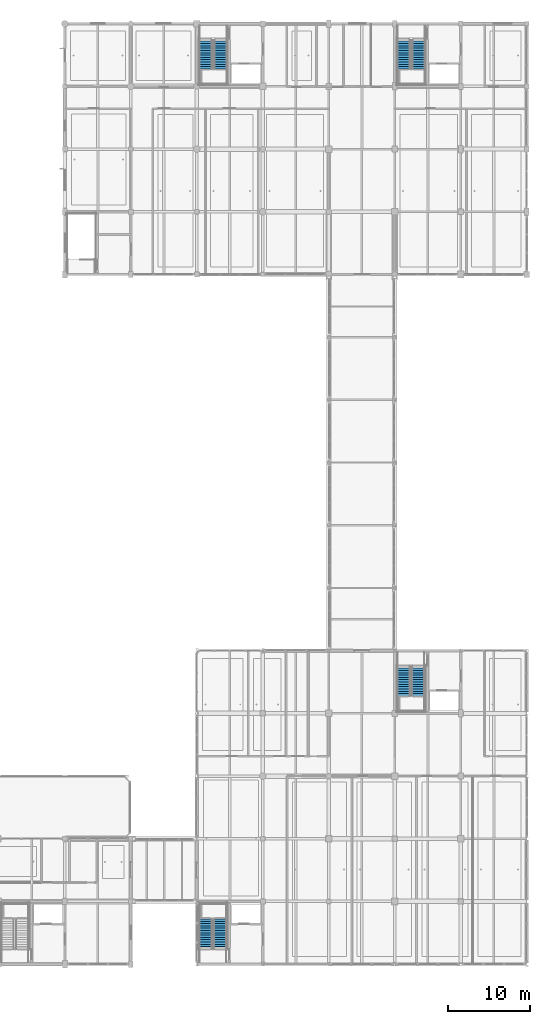
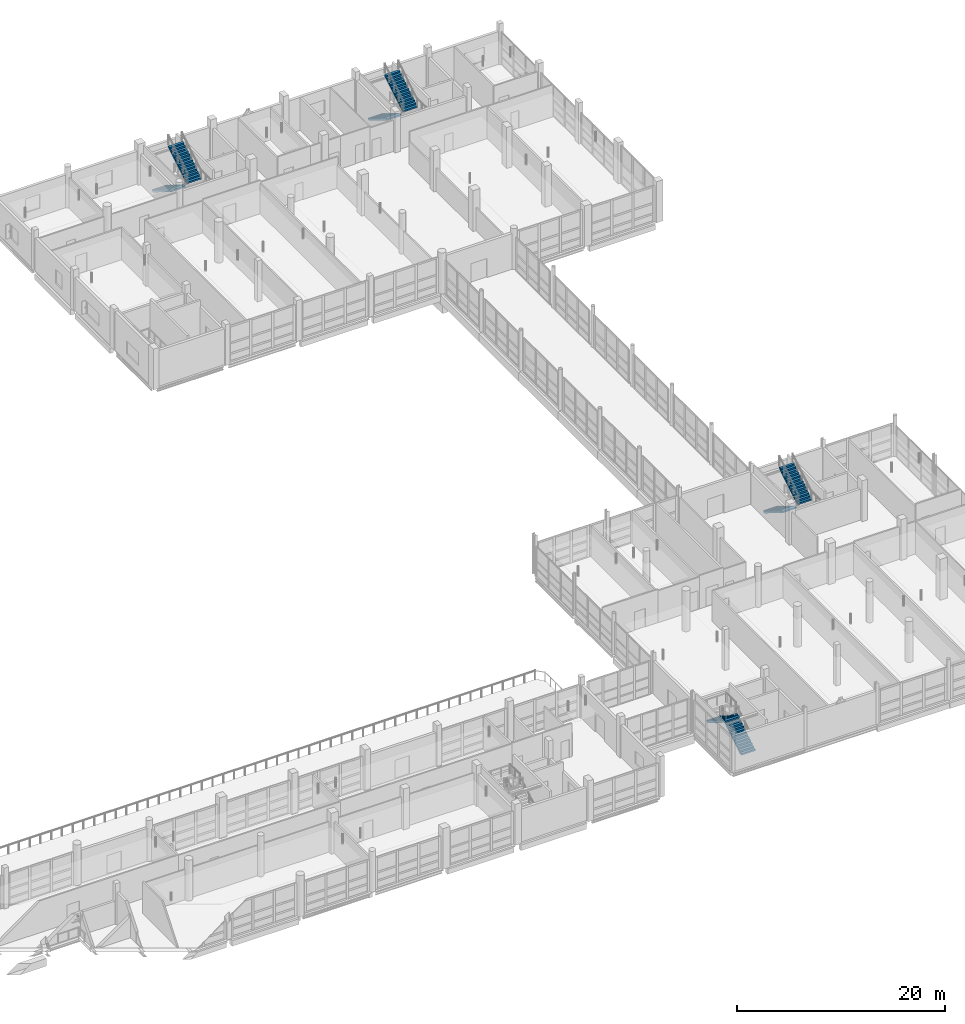
# One storey, part 97 of 147: 8 stair flights, 4 elements without a shape of their own.
"""IFC4 building model written with IfcOpenShell, lengths in metres."""

from ifc_helpers import new_model, si_unit, direction, frame, origin, place, context, subcontext, project, spatial, polyline, outline, extrude, material, type_object, element, aggregate, save


model = new_model("IFC4")

# Units and contexts
model_context = context("Model", 3, precision=1e-05, world=origin(), true_north=direction((0.0, 1.0)))
body_context = subcontext(model_context, "Body", "Model", "MODEL_VIEW")
ifc_project = project(units=[si_unit("LENGTHUNIT", "METRE"), si_unit("AREAUNIT", "SQUARE_METRE"), si_unit("VOLUMEUNIT", "CUBIC_METRE"), si_unit("PLANEANGLEUNIT", "RADIAN"), si_unit("MASSUNIT", "GRAM", prefix="KILO")], contexts=[model_context])

# Site, building, storey
site_placement = place(None, origin())
site = spatial("IfcSite", under=ifc_project, at=site_placement, CompositionType="ELEMENT")
building_placement = place(site_placement, origin())
building = spatial("IfcBuilding", under=site, at=building_placement, Name="Khelvaren Railside Concert Hall", CompositionType="ELEMENT")
storey_placement = place(building_placement, frame((0.0, 0.0, 5.39990234375)))
storey = spatial("IfcBuildingStorey", under=building, at=storey_placement, Name="L01", CompositionType="ELEMENT", Elevation=5.39990234375)

# Stair, stair flights
ifc_material = material(Name="Concrete C40/50", Category="concrete")
stair_type_1 = type_object("IfcStairType", Name="ST52", PredefinedType="HALF_TURN_STAIR", material=ifc_material)
stair_1_placement = place(storey_placement, origin())
stair_1 = element("IfcStair", 1, at=stair_1_placement, inside=storey, type_object=stair_type_1, Name="L01 Core Exit Stair ST-09", PredefinedType="HALF_TURN_STAIR")
stair_flight_type_1 = type_object("IfcStairFlightType", Name="STF21", PredefinedType="STRAIGHT", material=ifc_material)
stair_flight_1_placement = place(storey_placement, frame((145.10009765625, 112.159912109375, 0.0), z_axis=(0.0, 0.0, 1.0), x_axis=(0.0, -1.0, 0.0)))
stair_flight_1 = element("IfcStairFlight", 2, at=stair_flight_1_placement, type_object=stair_flight_type_1, Name="ST-09 flight 1", NumberOfRisers=14, NumberOfTreads=13, PredefinedType="STRAIGHT", RiserHeight=0.171428571, TreadLength=0.28, context=body_context, shape_type="SweptSolid", body=[
    extrude(outline(polyline([(0.0, 0.0), (0.0, 0.17138671875), (0.280029296875, 0.17138671875), (0.280029296875, 0.3427734375), (0.56005859375, 0.3427734375), (0.56005859375, 0.514404296875), (0.840087890625, 0.514404296875), (0.840087890625, 0.685791015625), (1.1201171875, 0.685791015625), (1.1201171875, 0.857177734375), (1.39990234375, 0.857177734375), (1.39990234375, 1.028564453125), (1.679931640625, 1.028564453125), (1.679931640625, 1.199951171875), (1.9599609375, 1.199951171875), (1.9599609375, 1.371337890625), (2.239990234375, 1.371337890625), (2.239990234375, 1.54296875), (2.52001953125, 1.54296875), (2.52001953125, 1.71435546875), (2.800048828125, 1.71435546875), (2.800048828125, 1.8857421875), (3.080078125, 1.8857421875), (3.080078125, 2.05712890625), (3.360107421875, 2.05712890625), (3.360107421875, 2.228515625), (3.639892578125, 2.228515625), (3.639892578125, 2.39990234375), (3.639892578125, 2.052734375), (0.287109375, 0.0), (0.0, 0.0)])), frame((0.0, 0.800048828125, 0.0), z_axis=(0.0, -1.0, 0.0), x_axis=(1.0, 0.0, 0.0)), (0.0, 0.0, 1.0), 1.60009765625),
])
stair_flight_2_placement = place(storey_placement, frame((146.89990234375, 108.52001953125, 2.400146484375), z_axis=(0.0, 0.0, 1.0), x_axis=(0.0, 1.0, 0.0)))
stair_flight_2 = element("IfcStairFlight", 3, at=stair_flight_2_placement, type_object=stair_flight_type_1, Name="ST-09 flight 2", NumberOfRisers=14, NumberOfTreads=13, PredefinedType="STRAIGHT", RiserHeight=0.171428571, TreadLength=0.28, context=body_context, shape_type="SweptSolid", body=[
    extrude(outline(polyline([(0.0, 0.0), (0.0, 0.17138671875), (0.280029296875, 0.17138671875), (0.280029296875, 0.3427734375), (0.56005859375, 0.3427734375), (0.56005859375, 0.514404296875), (0.840087890625, 0.514404296875), (0.840087890625, 0.685791015625), (1.1201171875, 0.685791015625), (1.1201171875, 0.857177734375), (1.39990234375, 0.857177734375), (1.39990234375, 1.028564453125), (1.679931640625, 1.028564453125), (1.679931640625, 1.199951171875), (1.9599609375, 1.199951171875), (1.9599609375, 1.371337890625), (2.239990234375, 1.371337890625), (2.239990234375, 1.54296875), (2.52001953125, 1.54296875), (2.52001953125, 1.71435546875), (2.800048828125, 1.71435546875), (2.800048828125, 1.8857421875), (3.080078125, 1.8857421875), (3.080078125, 2.05712890625), (3.360107421875, 2.05712890625), (3.360107421875, 2.228515625), (3.639892578125, 2.228515625), (3.639892578125, 2.39990234375), (3.639892578125, 2.052734375), (0.287109375, 0.0), (0.0, 0.0)])), frame((0.0, 0.800048828125, 0.0), z_axis=(0.0, -1.0, 0.0), x_axis=(1.0, 0.0, 0.0)), (0.0, 0.0, 1.0), 1.60009765625),
])
aggregate(stair_1, [stair_flight_1, stair_flight_2])

stair_2_placement = place(storey_placement, origin())
stair_2 = element("IfcStair", 4, at=stair_2_placement, inside=storey, type_object=stair_type_1, Name="L01 Core Exit Stair ST-10", PredefinedType="HALF_TURN_STAIR")
stair_flight_3_placement = place(storey_placement, frame((169.10009765625, 112.159912109375, 0.0), z_axis=(0.0, 0.0, 1.0), x_axis=(0.0, -1.0, 0.0)))
stair_flight_3 = element("IfcStairFlight", 5, at=stair_flight_3_placement, type_object=stair_flight_type_1, Name="ST-10 flight 1", NumberOfRisers=14, NumberOfTreads=13, PredefinedType="STRAIGHT", RiserHeight=0.171428571, TreadLength=0.28, context=body_context, shape_type="SweptSolid", body=[
    extrude(outline(polyline([(0.0, 0.0), (0.0, 0.17138671875), (0.280029296875, 0.17138671875), (0.280029296875, 0.3427734375), (0.56005859375, 0.3427734375), (0.56005859375, 0.514404296875), (0.840087890625, 0.514404296875), (0.840087890625, 0.685791015625), (1.1201171875, 0.685791015625), (1.1201171875, 0.857177734375), (1.39990234375, 0.857177734375), (1.39990234375, 1.028564453125), (1.679931640625, 1.028564453125), (1.679931640625, 1.199951171875), (1.9599609375, 1.199951171875), (1.9599609375, 1.371337890625), (2.239990234375, 1.371337890625), (2.239990234375, 1.54296875), (2.52001953125, 1.54296875), (2.52001953125, 1.71435546875), (2.800048828125, 1.71435546875), (2.800048828125, 1.8857421875), (3.080078125, 1.8857421875), (3.080078125, 2.05712890625), (3.360107421875, 2.05712890625), (3.360107421875, 2.228515625), (3.639892578125, 2.228515625), (3.639892578125, 2.39990234375), (3.639892578125, 2.052734375), (0.287109375, 0.0), (0.0, 0.0)])), frame((0.0, 0.800048828125, 0.0), z_axis=(0.0, -1.0, 0.0), x_axis=(1.0, 0.0, 0.0)), (0.0, 0.0, 1.0), 1.60009765625),
])
stair_flight_4_placement = place(storey_placement, frame((170.89990234375, 108.52001953125, 2.400146484375), z_axis=(0.0, 0.0, 1.0), x_axis=(0.0, 1.0, 0.0)))
stair_flight_4 = element("IfcStairFlight", 6, at=stair_flight_4_placement, type_object=stair_flight_type_1, Name="ST-10 flight 2", NumberOfRisers=14, NumberOfTreads=13, PredefinedType="STRAIGHT", RiserHeight=0.171428571, TreadLength=0.28, context=body_context, shape_type="SweptSolid", body=[
    extrude(outline(polyline([(0.0, 0.0), (0.0, 0.17138671875), (0.280029296875, 0.17138671875), (0.280029296875, 0.3427734375), (0.56005859375, 0.3427734375), (0.56005859375, 0.514404296875), (0.840087890625, 0.514404296875), (0.840087890625, 0.685791015625), (1.1201171875, 0.685791015625), (1.1201171875, 0.857177734375), (1.39990234375, 0.857177734375), (1.39990234375, 1.028564453125), (1.679931640625, 1.028564453125), (1.679931640625, 1.199951171875), (1.9599609375, 1.199951171875), (1.9599609375, 1.371337890625), (2.239990234375, 1.371337890625), (2.239990234375, 1.54296875), (2.52001953125, 1.54296875), (2.52001953125, 1.71435546875), (2.800048828125, 1.71435546875), (2.800048828125, 1.8857421875), (3.080078125, 1.8857421875), (3.080078125, 2.05712890625), (3.360107421875, 2.05712890625), (3.360107421875, 2.228515625), (3.639892578125, 2.228515625), (3.639892578125, 2.39990234375), (3.639892578125, 2.052734375), (0.287109375, 0.0), (0.0, 0.0)])), frame((0.0, 0.800048828125, 0.0), z_axis=(0.0, -1.0, 0.0), x_axis=(1.0, 0.0, 0.0)), (0.0, 0.0, 1.0), 1.60009765625),
])
aggregate(stair_2, [stair_flight_3, stair_flight_4])

stair_type_2 = type_object("IfcStairType", Name="ST70", PredefinedType="HALF_TURN_STAIR", material=ifc_material)
stair_3_placement = place(storey_placement, origin())
stair_3 = element("IfcStair", 7, at=stair_3_placement, inside=storey, type_object=stair_type_2, Name="L01 Core Exit Stair ST-03", PredefinedType="HALF_TURN_STAIR")
stair_flight_type_2 = type_object("IfcStairFlightType", Name="STF24", PredefinedType="STRAIGHT", material=ifc_material)
stair_flight_5_placement = place(storey_placement, frame((146.840087890625, 1.840087890625, 0.0), z_axis=(0.0, 0.0, 1.0), x_axis=(0.0, 1.0, 0.0)))
stair_flight_5 = element("IfcStairFlight", 8, at=stair_flight_5_placement, type_object=stair_flight_type_2, Name="ST-03 flight 1", NumberOfRisers=14, NumberOfTreads=13, PredefinedType="STRAIGHT", RiserHeight=0.171428571, TreadLength=0.28, context=body_context, shape_type="SweptSolid", body=[
    extrude(outline(polyline([(0.0, 0.0), (0.0, 0.17138671875), (0.280029296875, 0.17138671875), (0.280029296875, 0.3427734375), (0.56005859375, 0.3427734375), (0.56005859375, 0.514404296875), (0.840087890625, 0.514404296875), (0.840087890625, 0.685791015625), (1.1201171875, 0.685791015625), (1.1201171875, 0.857177734375), (1.39990234375, 0.857177734375), (1.39990234375, 1.028564453125), (1.679931640625, 1.028564453125), (1.679931640625, 1.199951171875), (1.9599609375, 1.199951171875), (1.9599609375, 1.371337890625), (2.239990234375, 1.371337890625), (2.239990234375, 1.54296875), (2.52001953125, 1.54296875), (2.52001953125, 1.71435546875), (2.800048828125, 1.71435546875), (2.800048828125, 1.8857421875), (3.080078125, 1.8857421875), (3.080078125, 2.05712890625), (3.360107421875, 2.05712890625), (3.360107421875, 2.228515625), (3.639892578125, 2.228515625), (3.639892578125, 2.39990234375), (3.639892578125, 2.052734375), (0.287109375, 0.0), (0.0, 0.0)])), frame((0.0, 0.780029296875, 0.0), z_axis=(0.0, -1.0, 0.0), x_axis=(1.0, 0.0, 0.0)), (0.0, 0.0, 1.0), 1.56005859375),
])
stair_flight_6_placement = place(storey_placement, frame((145.080078125, 5.47998046875, 2.400146484375), z_axis=(0.0, 0.0, 1.0), x_axis=(0.0, -1.0, 0.0)))
stair_flight_6 = element("IfcStairFlight", 9, at=stair_flight_6_placement, type_object=stair_flight_type_2, Name="ST-03 flight 2", NumberOfRisers=14, NumberOfTreads=13, PredefinedType="STRAIGHT", RiserHeight=0.171428571, TreadLength=0.28, context=body_context, shape_type="SweptSolid", body=[
    extrude(outline(polyline([(0.0, 0.0), (0.0, 0.17138671875), (0.280029296875, 0.17138671875), (0.280029296875, 0.3427734375), (0.56005859375, 0.3427734375), (0.56005859375, 0.514404296875), (0.840087890625, 0.514404296875), (0.840087890625, 0.685791015625), (1.1201171875, 0.685791015625), (1.1201171875, 0.857177734375), (1.39990234375, 0.857177734375), (1.39990234375, 1.028564453125), (1.679931640625, 1.028564453125), (1.679931640625, 1.199951171875), (1.9599609375, 1.199951171875), (1.9599609375, 1.371337890625), (2.239990234375, 1.371337890625), (2.239990234375, 1.54296875), (2.52001953125, 1.54296875), (2.52001953125, 1.71435546875), (2.800048828125, 1.71435546875), (2.800048828125, 1.8857421875), (3.080078125, 1.8857421875), (3.080078125, 2.05712890625), (3.360107421875, 2.05712890625), (3.360107421875, 2.228515625), (3.639892578125, 2.228515625), (3.639892578125, 2.39990234375), (3.639892578125, 2.052734375), (0.287109375, 0.0), (0.0, 0.0)])), frame((0.0, 0.780029296875, 0.0), z_axis=(0.0, -1.0, 0.0), x_axis=(1.0, 0.0, 0.0)), (0.0, 0.0, 1.0), 1.56005859375),
])
aggregate(stair_3, [stair_flight_5, stair_flight_6])

stair_4_placement = place(storey_placement, origin())
stair_4 = element("IfcStair", 10, at=stair_4_placement, inside=storey, type_object=stair_type_2, Name="L01 Core Exit Stair ST-04", PredefinedType="HALF_TURN_STAIR")
stair_flight_7_placement = place(storey_placement, frame((169.080078125, 36.159912109375, 0.0), z_axis=(0.0, 0.0, 1.0), x_axis=(0.0, -1.0, 0.0)))
stair_flight_7 = element("IfcStairFlight", 11, at=stair_flight_7_placement, type_object=stair_flight_type_2, Name="ST-04 flight 1", NumberOfRisers=14, NumberOfTreads=13, PredefinedType="STRAIGHT", RiserHeight=0.171428571, TreadLength=0.28, context=body_context, shape_type="SweptSolid", body=[
    extrude(outline(polyline([(0.0, 0.0), (0.0, 0.17138671875), (0.280029296875, 0.17138671875), (0.280029296875, 0.3427734375), (0.56005859375, 0.3427734375), (0.56005859375, 0.514404296875), (0.840087890625, 0.514404296875), (0.840087890625, 0.685791015625), (1.1201171875, 0.685791015625), (1.1201171875, 0.857177734375), (1.39990234375, 0.857177734375), (1.39990234375, 1.028564453125), (1.679931640625, 1.028564453125), (1.679931640625, 1.199951171875), (1.9599609375, 1.199951171875), (1.9599609375, 1.371337890625), (2.239990234375, 1.371337890625), (2.239990234375, 1.54296875), (2.52001953125, 1.54296875), (2.52001953125, 1.71435546875), (2.800048828125, 1.71435546875), (2.800048828125, 1.8857421875), (3.080078125, 1.8857421875), (3.080078125, 2.05712890625), (3.360107421875, 2.05712890625), (3.360107421875, 2.228515625), (3.639892578125, 2.228515625), (3.639892578125, 2.39990234375), (3.639892578125, 2.052734375), (0.287109375, 0.0), (0.0, 0.0)])), frame((0.0, 0.780029296875, 0.0), z_axis=(0.0, -1.0, 0.0), x_axis=(1.0, 0.0, 0.0)), (0.0, 0.0, 1.0), 1.56005859375),
])
stair_flight_8_placement = place(storey_placement, frame((170.840087890625, 32.52001953125, 2.400146484375), z_axis=(0.0, 0.0, 1.0), x_axis=(0.0, 1.0, 0.0)))
stair_flight_8 = element("IfcStairFlight", 12, at=stair_flight_8_placement, type_object=stair_flight_type_2, Name="ST-04 flight 2", NumberOfRisers=14, NumberOfTreads=13, PredefinedType="STRAIGHT", RiserHeight=0.171428571, TreadLength=0.28, context=body_context, shape_type="SweptSolid", body=[
    extrude(outline(polyline([(0.0, 0.0), (0.0, 0.17138671875), (0.280029296875, 0.17138671875), (0.280029296875, 0.3427734375), (0.56005859375, 0.3427734375), (0.56005859375, 0.514404296875), (0.840087890625, 0.514404296875), (0.840087890625, 0.685791015625), (1.1201171875, 0.685791015625), (1.1201171875, 0.857177734375), (1.39990234375, 0.857177734375), (1.39990234375, 1.028564453125), (1.679931640625, 1.028564453125), (1.679931640625, 1.199951171875), (1.9599609375, 1.199951171875), (1.9599609375, 1.371337890625), (2.239990234375, 1.371337890625), (2.239990234375, 1.54296875), (2.52001953125, 1.54296875), (2.52001953125, 1.71435546875), (2.800048828125, 1.71435546875), (2.800048828125, 1.8857421875), (3.080078125, 1.8857421875), (3.080078125, 2.05712890625), (3.360107421875, 2.05712890625), (3.360107421875, 2.228515625), (3.639892578125, 2.228515625), (3.639892578125, 2.39990234375), (3.639892578125, 2.052734375), (0.287109375, 0.0), (0.0, 0.0)])), frame((0.0, 0.780029296875, 0.0), z_axis=(0.0, -1.0, 0.0), x_axis=(1.0, 0.0, 0.0)), (0.0, 0.0, 1.0), 1.56005859375),
])
aggregate(stair_4, [stair_flight_7, stair_flight_8])

save(model, "model.ifc")
